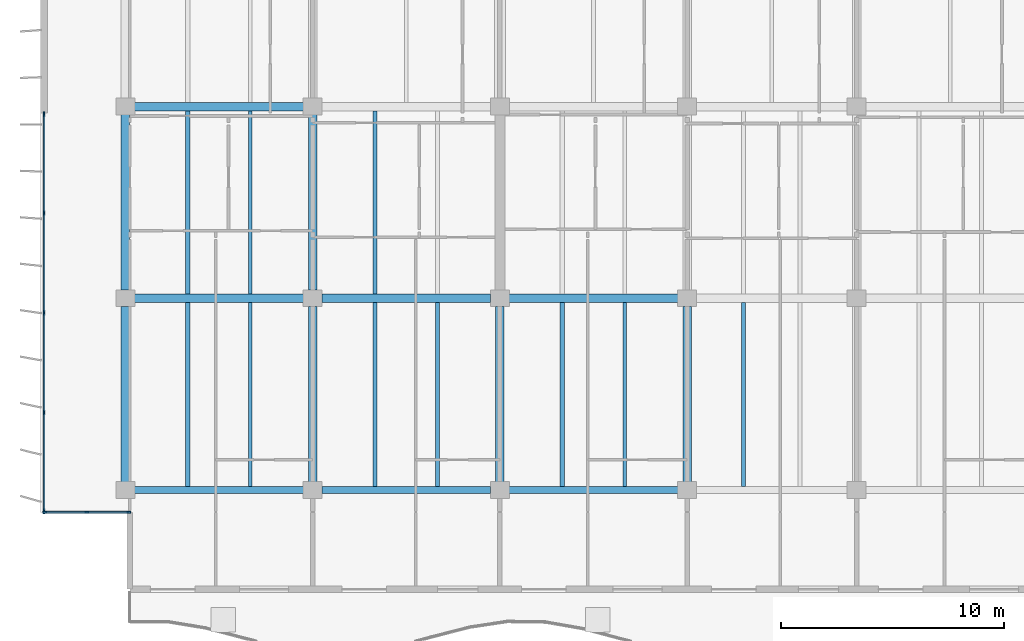
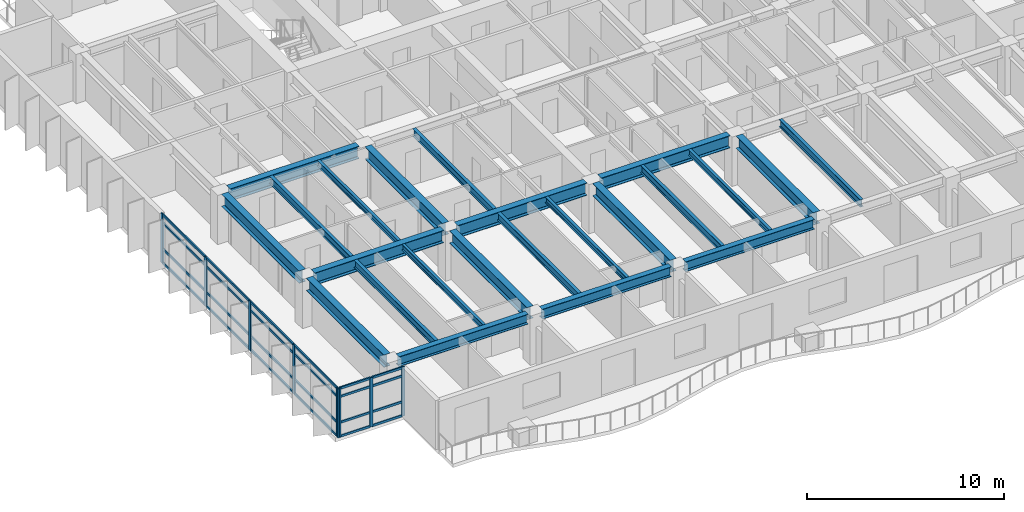
# One storey, part 2 of 19: 32 members, 23 beams, 2 elements without a shape of their own.
"""IFC4 building model written with IfcOpenShell, lengths in metres."""

from ifc_helpers import new_model, si_unit, direction, frame, origin, origin_2d, place, context, subcontext, project, spatial, rectangle, i_section, extrude, material, layer, layer_set, material_profile, profile_set, type_object, element, aggregate, save


model = new_model("IFC4")

# Units and contexts
model_context = context("Model", 3, precision=1e-05, world=origin(), true_north=direction((0.0, 1.0)))
body_context = subcontext(model_context, "Body", "Model", "MODEL_VIEW")
ifc_project = project(units=[si_unit("LENGTHUNIT", "METRE"), si_unit("AREAUNIT", "SQUARE_METRE"), si_unit("VOLUMEUNIT", "CUBIC_METRE"), si_unit("PLANEANGLEUNIT", "RADIAN"), si_unit("MASSUNIT", "GRAM", prefix="KILO")], contexts=[model_context])

# Site, building, storey
site_placement = place(None, origin())
site = spatial("IfcSite", under=ifc_project, at=site_placement, CompositionType="ELEMENT")
building_placement = place(site_placement, origin())
building = spatial("IfcBuilding", under=site, at=building_placement, Name="Caelmar Bay Residences", CompositionType="ELEMENT")
storey_placement = place(building_placement, frame((0.0, 0.0, 214.800048828125)))
storey = spatial("IfcBuildingStorey", under=building, at=storey_placement, Name="L60", CompositionType="ELEMENT", Elevation=214.800048828125)

# Beams
ifc_material_1 = material(Name="Steel ASTM A992 Grade 50", Category="steel")
ifc_material_profile_1 = material_profile(ifc_material_1, i_section(OverallWidth=0.381103515625, OverallDepth=0.77197265625, WebThickness=0.0166015625, FlangeThickness=0.027099609375, FilletRadius=0.0166015625, at=origin_2d()), Name="W30X173")
ifc_profile_set_1 = profile_set([ifc_material_profile_1], Name="Steel ASTM A992 Grade 50")
beam_type_1 = type_object("IfcBeamType", Name="BM-GRD-W30X173", PredefinedType="BEAM", material=ifc_profile_set_1)
beam_1_placement = place(storey_placement, frame((10.31494140625, 20.800048828125, 2.6640625), z_axis=(1.0, 0.0, 0.0), x_axis=(0.0, 1.0, 0.0)))
element("IfcBeam", 1, at=beam_1_placement, inside=storey, type_object=beam_type_1, Name="L60 East-West Girder Y=20.80 (9.9-18.3)", PredefinedType="BEAM", context=body_context, shape_type="SweptSolid", body=[
    extrude(i_section(OverallWidth=0.381103515625, OverallDepth=0.77197265625, WebThickness=0.0166015625, FlangeThickness=0.027099609375, FilletRadius=0.0166015625, at=origin_2d()), origin(), (0.0, 0.0, 1.0), 7.570068359375),
])
beam_2_placement = place(storey_placement, frame((18.715087890625, 20.800048828125, 2.6640625), z_axis=(1.0, 0.0, 0.0), x_axis=(0.0, 1.0, 0.0)))
element("IfcBeam", 2, at=beam_2_placement, inside=storey, type_object=beam_type_1, Name="L60 East-West Girder Y=20.80 (18.3-26.7)", PredefinedType="BEAM", context=body_context, shape_type="SweptSolid", body=[
    extrude(i_section(OverallWidth=0.381103515625, OverallDepth=0.77197265625, WebThickness=0.0166015625, FlangeThickness=0.027099609375, FilletRadius=0.0166015625, at=origin_2d()), origin(), (0.0, 0.0, 1.0), 7.56982421875),
])
for number, where, z_axis, x_axis, name in (
    (3, (27.114990234375, 20.800048828125, 2.6640625), (1.0, 0.0, 0.0), (0.0, 1.0, 0.0), "L60 East-West Girder Y=20.80 (26.7-35.1)"),
    (4, (10.31494140625, 29.39990234375, 2.6640625), (1.0, 0.0, 0.0), (0.0, 1.0, 0.0), "L60 East-West Girder Y=29.40 (9.9-18.3)"),
):
    element("IfcBeam", number, at=place(storey_placement, frame(where, z_axis=z_axis, x_axis=x_axis)), inside=storey, type_object=beam_type_1, Name=name, PredefinedType="BEAM", context=body_context, shape_type="SweptSolid", body=[
        extrude(i_section(OverallWidth=0.381103515625, OverallDepth=0.77197265625, WebThickness=0.0166015625, FlangeThickness=0.027099609375, FilletRadius=0.0166015625, at=origin_2d()), origin(), (0.0, 0.0, 1.0), 7.570068359375),
    ])
beam_3_placement = place(storey_placement, frame((9.89990234375, 12.56494140625, 2.6640625), z_axis=(0.0, 1.0, 0.0), x_axis=(-1.0, 0.0, 0.0)))
element("IfcBeam", 5, at=beam_3_placement, inside=storey, type_object=beam_type_1, Name="L60 North-South Girder X=9.90 (12.2-20.8)", PredefinedType="BEAM", context=body_context, shape_type="SweptSolid", body=[
    extrude(i_section(OverallWidth=0.381103515625, OverallDepth=0.77197265625, WebThickness=0.0166015625, FlangeThickness=0.027099609375, FilletRadius=0.0166015625, at=origin_2d()), origin(), (0.0, 0.0, 1.0), 7.8701171875),
])
beam_4_placement = place(storey_placement, frame((9.89990234375, 21.1650390625, 2.6640625), z_axis=(0.0, 1.0, 0.0), x_axis=(-1.0, 0.0, 0.0)))
element("IfcBeam", 6, at=beam_4_placement, inside=storey, type_object=beam_type_1, Name="L60 North-South Girder X=9.90 (20.8-29.4)", PredefinedType="BEAM", context=body_context, shape_type="SweptSolid", body=[
    extrude(i_section(OverallWidth=0.381103515625, OverallDepth=0.77197265625, WebThickness=0.0166015625, FlangeThickness=0.027099609375, FilletRadius=0.0166015625, at=origin_2d()), origin(), (0.0, 0.0, 1.0), 7.869873046875),
])
beam_5_placement = place(storey_placement, frame((18.300048828125, 12.56494140625, 2.6640625), z_axis=(0.0, 1.0, 0.0), x_axis=(-1.0, 0.0, 0.0)))
element("IfcBeam", 7, at=beam_5_placement, inside=storey, type_object=beam_type_1, Name="L60 North-South Girder X=18.30 (12.2-20.8)", PredefinedType="BEAM", context=body_context, shape_type="SweptSolid", body=[
    extrude(i_section(OverallWidth=0.381103515625, OverallDepth=0.77197265625, WebThickness=0.0166015625, FlangeThickness=0.027099609375, FilletRadius=0.0166015625, at=origin_2d()), origin(), (0.0, 0.0, 1.0), 7.8701171875),
])
beam_6_placement = place(storey_placement, frame((18.300048828125, 21.1650390625, 2.6640625), z_axis=(0.0, 1.0, 0.0), x_axis=(-1.0, 0.0, 0.0)))
element("IfcBeam", 8, at=beam_6_placement, inside=storey, type_object=beam_type_1, Name="L60 North-South Girder X=18.30 (20.8-29.4)", PredefinedType="BEAM", context=body_context, shape_type="SweptSolid", body=[
    extrude(i_section(OverallWidth=0.381103515625, OverallDepth=0.77197265625, WebThickness=0.0166015625, FlangeThickness=0.027099609375, FilletRadius=0.0166015625, at=origin_2d()), origin(), (0.0, 0.0, 1.0), 7.869873046875),
])
for number, where, z_axis, x_axis, name in (
    (9, (26.699951171875, 12.56494140625, 2.6640625), (0.0, 1.0, 0.0), (-1.0, 0.0, 0.0), "L60 North-South Girder X=26.70 (12.2-20.8)"),
    (10, (35.10009765625, 12.56494140625, 2.6640625), (0.0, 1.0, 0.0), (-1.0, 0.0, 0.0), "L60 North-South Girder X=35.10 (12.2-20.8)"),
):
    element("IfcBeam", number, at=place(storey_placement, frame(where, z_axis=z_axis, x_axis=x_axis)), inside=storey, type_object=beam_type_1, Name=name, PredefinedType="BEAM", context=body_context, shape_type="SweptSolid", body=[
        extrude(i_section(OverallWidth=0.381103515625, OverallDepth=0.77197265625, WebThickness=0.0166015625, FlangeThickness=0.027099609375, FilletRadius=0.0166015625, at=origin_2d()), origin(), (0.0, 0.0, 1.0), 7.8701171875),
    ])
ifc_material_profile_2 = material_profile(ifc_material_1, i_section(OverallWidth=0.1708984375, OverallDepth=0.35595703125, WebThickness=0.007080078125, FlangeThickness=0.01171875, FilletRadius=0.007568359375, at=origin_2d()), Name="W14X34")
ifc_profile_set_2 = profile_set([ifc_material_profile_2], Name="Steel ASTM A992 Grade 50")
beam_type_2 = type_object("IfcBeamType", Name="BM-JST-W14X34", PredefinedType="JOIST", material=ifc_profile_set_2)
for number, where, z_axis, x_axis, name in (
    (11, (15.5, 12.362548828125, 2.8720703125), (0.0, 1.0, 0.0), (-1.0, 0.0, 0.0), "L60 Composite Floor Joist 2"),
    (12, (23.89990234375, 12.362548828125, 2.8720703125), (0.0, 1.0, 0.0), (-1.0, 0.0, 0.0), "L60 Composite Floor Joist 4"),
    (13, (32.300048828125, 12.362548828125, 2.8720703125), (0.0, 1.0, 0.0), (-1.0, 0.0, 0.0), "L60 Composite Floor Joist 6"),
):
    element("IfcBeam", number, at=place(storey_placement, frame(where, z_axis=z_axis, x_axis=x_axis)), inside=storey, type_object=beam_type_2, Name=name, PredefinedType="JOIST", context=body_context, shape_type="SweptSolid", body=[
        extrude(i_section(OverallWidth=0.1708984375, OverallDepth=0.35595703125, WebThickness=0.007080078125, FlangeThickness=0.01171875, FilletRadius=0.007568359375, at=origin_2d()), origin(), (0.0, 0.0, 1.0), 8.2470703125),
    ])
beam_7_placement = place(storey_placement, frame((15.5, 20.990478515625, 2.8720703125), z_axis=(0.0, 1.0, 0.0), x_axis=(-1.0, 0.0, 0.0)))
element("IfcBeam", 14, at=beam_7_placement, inside=storey, type_object=beam_type_2, Name="L60 Composite Floor Joist 16", PredefinedType="JOIST", context=body_context, shape_type="SweptSolid", body=[
    extrude(i_section(OverallWidth=0.1708984375, OverallDepth=0.35595703125, WebThickness=0.007080078125, FlangeThickness=0.01171875, FilletRadius=0.007568359375, at=origin_2d()), origin(), (0.0, 0.0, 1.0), 8.218994140625),
])
ifc_material_profile_3 = material_profile(ifc_material_1, i_section(OverallWidth=0.19091796875, OverallDepth=0.45703125, WebThickness=0.009033203125, FlangeThickness=0.014404296875, FilletRadius=0.01025390625, at=origin_2d()), Name="W18X50")
ifc_profile_set_3 = profile_set([ifc_material_profile_3], Name="Steel ASTM A992 Grade 50")
beam_type_3 = type_object("IfcBeamType", Name="BM-JST-W18X50", PredefinedType="JOIST", material=ifc_profile_set_3)
for number, where, z_axis, x_axis, name in (
    (15, (12.699951171875, 12.362548828125, 2.821533203125), (0.0, 1.0, 0.0), (-1.0, 0.0, 0.0), "L60 Composite Floor Joist 1"),
    (16, (21.10009765625, 12.362548828125, 2.821533203125), (0.0, 1.0, 0.0), (-1.0, 0.0, 0.0), "L60 Composite Floor Joist 3"),
    (17, (29.5, 12.362548828125, 2.821533203125), (0.0, 1.0, 0.0), (-1.0, 0.0, 0.0), "L60 Composite Floor Joist 5"),
    (18, (37.63330078125, 12.362548828125, 2.821533203125), (0.0, 1.0, 0.0), (-1.0, 0.0, 0.0), "L60 Composite Floor Joist 7"),
):
    element("IfcBeam", number, at=place(storey_placement, frame(where, z_axis=z_axis, x_axis=x_axis)), inside=storey, type_object=beam_type_3, Name=name, PredefinedType="JOIST", context=body_context, shape_type="SweptSolid", body=[
        extrude(i_section(OverallWidth=0.19091796875, OverallDepth=0.45703125, WebThickness=0.009033203125, FlangeThickness=0.014404296875, FilletRadius=0.01025390625, at=origin_2d()), origin(), (0.0, 0.0, 1.0), 8.2470703125),
    ])
for number, where, z_axis, x_axis, name in (
    (19, (12.699951171875, 20.990478515625, 2.821533203125), (0.0, 1.0, 0.0), (-1.0, 0.0, 0.0), "L60 Composite Floor Joist 15"),
    (20, (21.10009765625, 20.990478515625, 2.821533203125), (0.0, 1.0, 0.0), (-1.0, 0.0, 0.0), "L60 Composite Floor Joist 17"),
):
    element("IfcBeam", number, at=place(storey_placement, frame(where, z_axis=z_axis, x_axis=x_axis)), inside=storey, type_object=beam_type_3, Name=name, PredefinedType="JOIST", context=body_context, shape_type="SweptSolid", body=[
        extrude(i_section(OverallWidth=0.19091796875, OverallDepth=0.45703125, WebThickness=0.009033203125, FlangeThickness=0.014404296875, FilletRadius=0.01025390625, at=origin_2d()), origin(), (0.0, 0.0, 1.0), 8.218994140625),
    ])
ifc_material_profile_4 = material_profile(ifc_material_1, i_section(OverallWidth=0.324951171875, OverallDepth=0.616943359375, WebThickness=0.013916015625, FlangeThickness=0.021484375, FilletRadius=0.0126953125, at=origin_2d()), Name="W24X117")
ifc_profile_set_4 = profile_set([ifc_material_profile_4], Name="Steel ASTM A992 Grade 50")
beam_type_4 = type_object("IfcBeamType", Name="BM-SPN-W24X117", PredefinedType="SPANDREL", material=ifc_profile_set_4)
beam_8_placement = place(storey_placement, frame((10.31494140625, 12.199951171875, 2.741455078125), z_axis=(1.0, 0.0, 0.0), x_axis=(0.0, 1.0, 0.0)))
element("IfcBeam", 21, at=beam_8_placement, inside=storey, type_object=beam_type_4, Name="L60 East-West Girder Y=12.20 (9.9-18.3)", PredefinedType="SPANDREL", context=body_context, shape_type="SweptSolid", body=[
    extrude(i_section(OverallWidth=0.324951171875, OverallDepth=0.616943359375, WebThickness=0.013916015625, FlangeThickness=0.021484375, FilletRadius=0.0126953125, at=origin_2d()), origin(), (0.0, 0.0, 1.0), 7.570068359375),
])
beam_9_placement = place(storey_placement, frame((18.715087890625, 12.199951171875, 2.741455078125), z_axis=(1.0, 0.0, 0.0), x_axis=(0.0, 1.0, 0.0)))
element("IfcBeam", 22, at=beam_9_placement, inside=storey, type_object=beam_type_4, Name="L60 East-West Girder Y=12.20 (18.3-26.7)", PredefinedType="SPANDREL", context=body_context, shape_type="SweptSolid", body=[
    extrude(i_section(OverallWidth=0.324951171875, OverallDepth=0.616943359375, WebThickness=0.013916015625, FlangeThickness=0.021484375, FilletRadius=0.0126953125, at=origin_2d()), origin(), (0.0, 0.0, 1.0), 7.56982421875),
])
beam_10_placement = place(storey_placement, frame((27.114990234375, 12.199951171875, 2.741455078125), z_axis=(1.0, 0.0, 0.0), x_axis=(0.0, 1.0, 0.0)))
element("IfcBeam", 23, at=beam_10_placement, inside=storey, type_object=beam_type_4, Name="L60 East-West Girder Y=12.20 (26.7-35.1)", PredefinedType="SPANDREL", context=body_context, shape_type="SweptSolid", body=[
    extrude(i_section(OverallWidth=0.324951171875, OverallDepth=0.616943359375, WebThickness=0.013916015625, FlangeThickness=0.021484375, FilletRadius=0.0126953125, at=origin_2d()), origin(), (0.0, 0.0, 1.0), 7.570068359375),
])

# Curtain wall, members
ifc_material_2 = material(Name="Anodised bronze aluminium 6063-T6 and laminated glass", Category="aluminium")
ifc_layer_1 = layer(ifc_material_2, 0.179931640625)
ifc_layer_set_1 = layer_set([ifc_layer_1], Name="Anodised bronze aluminium 6063-T6 and laminated glass")
curtain_wall_type_1 = type_object("IfcCurtainWallType", Name="CW6-NTC", PredefinedType="NOTDEFINED", material=ifc_layer_set_1)
curtain_wall_1_placement = place(storey_placement, origin())
curtain_wall_1 = element("IfcCurtainWall", 24, at=curtain_wall_1_placement, inside=storey, type_object=curtain_wall_type_1, Name="CW6 curtain wall L60", PredefinedType="NOTDEFINED")
ifc_material_3 = material(Name="Anodised bronze aluminium 6063-T6", Category="aluminium")
ifc_material_profile_5 = material_profile(ifc_material_3, rectangle(XDim=0.080078125, YDim=0.179931640625, at=origin_2d()), Name="CWM-80X180")
ifc_profile_set_5 = profile_set([ifc_material_profile_5], Name="Anodised bronze aluminium 6063-T6")
member_type_1 = type_object("IfcMemberType", Name="CWM-180", PredefinedType="MULLION", material=ifc_profile_set_5)
member_1_placement = place(storey_placement, frame((6.2900390625, 11.199951171875, 0.0), z_axis=(0.0, 0.0, 1.0), x_axis=(0.0, 1.0, 0.0)))
member_1 = element("IfcMember", 25, at=member_1_placement, type_object=member_type_1, Name="CW6 mullion 1", PredefinedType="MULLION", context=body_context, shape_type="SweptSolid", body=[
    extrude(rectangle(XDim=0.080078125, YDim=0.179931640625, at=origin_2d()), origin(), (0.0, 0.0, 1.0), 3.050048828125),
])
member_2_placement = place(storey_placement, frame((8.175048828125, 11.199951171875, 0.0), z_axis=(0.0, 0.0, 1.0), x_axis=(0.0, 1.0, 0.0)))
member_2 = element("IfcMember", 26, at=member_2_placement, type_object=member_type_1, Name="CW6 mullion 2", PredefinedType="MULLION", context=body_context, shape_type="SweptSolid", body=[
    extrude(rectangle(XDim=0.080078125, YDim=0.179931640625, at=origin_2d()), origin(), (0.0, 0.0, 1.0), 3.050048828125),
])
member_3_placement = place(storey_placement, frame((10.06005859375, 11.199951171875, 0.0), z_axis=(0.0, 0.0, 1.0), x_axis=(0.0, 1.0, 0.0)))
member_3 = element("IfcMember", 27, at=member_3_placement, type_object=member_type_1, Name="CW6 mullion 3", PredefinedType="MULLION", context=body_context, shape_type="SweptSolid", body=[
    extrude(rectangle(XDim=0.080078125, YDim=0.179931640625, at=origin_2d()), origin(), (0.0, 0.0, 1.0), 3.050048828125),
])

ifc_layer_2 = layer(ifc_material_2, 0.179931640625)
ifc_layer_set_2 = layer_set([ifc_layer_2], Name="Anodised bronze aluminium 6063-T6 and laminated glass")
curtain_wall_type_2 = type_object("IfcCurtainWallType", Name="CW4-Z3", PredefinedType="NOTDEFINED", material=ifc_layer_set_2)
curtain_wall_2_placement = place(storey_placement, origin())
curtain_wall_2 = element("IfcCurtainWall", 28, at=curtain_wall_2_placement, inside=storey, type_object=curtain_wall_type_2, Name="CW4 curtain wall L60", PredefinedType="NOTDEFINED")
ifc_material_profile_6 = material_profile(ifc_material_3, rectangle(XDim=0.080078125, YDim=0.219970703125, at=origin_2d()), Name="CWM-80X220")
ifc_profile_set_6 = profile_set([ifc_material_profile_6], Name="Anodised bronze aluminium 6063-T6")
member_type_2 = type_object("IfcMemberType", Name="CWM-220", PredefinedType="MULLION", material=ifc_profile_set_6)
member_4_placement = place(storey_placement, frame((6.25, 11.239990234375, 0.0), z_axis=(0.0, 0.0, 1.0), x_axis=(-1.0, 0.0, 0.0)))
member_4 = element("IfcMember", 29, at=member_4_placement, type_object=member_type_2, Name="CW4 mullion 1", PredefinedType="MULLION", context=body_context, shape_type="SweptSolid", body=[
    extrude(rectangle(XDim=0.080078125, YDim=0.219970703125, at=origin_2d()), origin(), (0.0, 0.0, 1.0), 3.050048828125),
])
member_5_placement = place(storey_placement, frame((6.25, 15.675048828125, 0.0), z_axis=(0.0, 0.0, 1.0), x_axis=(-1.0, 0.0, 0.0)))
member_5 = element("IfcMember", 30, at=member_5_placement, type_object=member_type_2, Name="CW4 mullion 2", PredefinedType="MULLION", context=body_context, shape_type="SweptSolid", body=[
    extrude(rectangle(XDim=0.080078125, YDim=0.219970703125, at=origin_2d()), origin(), (0.0, 0.0, 1.0), 3.050048828125),
])
member_6_placement = place(storey_placement, frame((6.25, 20.14990234375, 0.0), z_axis=(0.0, 0.0, 1.0), x_axis=(-1.0, 0.0, 0.0)))
member_6 = element("IfcMember", 31, at=member_6_placement, type_object=member_type_2, Name="CW4 mullion 3", PredefinedType="MULLION", context=body_context, shape_type="SweptSolid", body=[
    extrude(rectangle(XDim=0.080078125, YDim=0.219970703125, at=origin_2d()), origin(), (0.0, 0.0, 1.0), 3.050048828125),
])
member_7_placement = place(storey_placement, frame((6.25, 24.625, 0.0), z_axis=(0.0, 0.0, 1.0), x_axis=(-1.0, 0.0, 0.0)))
member_7 = element("IfcMember", 32, at=member_7_placement, type_object=member_type_2, Name="CW4 mullion 4", PredefinedType="MULLION", context=body_context, shape_type="SweptSolid", body=[
    extrude(rectangle(XDim=0.080078125, YDim=0.219970703125, at=origin_2d()), origin(), (0.0, 0.0, 1.0), 3.050048828125),
])
member_8_placement = place(storey_placement, frame((6.25, 29.06005859375, 0.0), z_axis=(0.0, 0.0, 1.0), x_axis=(-1.0, 0.0, 0.0)))
member_8 = element("IfcMember", 33, at=member_8_placement, type_object=member_type_2, Name="CW4 mullion 5", PredefinedType="MULLION", context=body_context, shape_type="SweptSolid", body=[
    extrude(rectangle(XDim=0.080078125, YDim=0.219970703125, at=origin_2d()), origin(), (0.0, 0.0, 1.0), 3.050048828125),
])

# Member
ifc_material_profile_7 = material_profile(ifc_material_3, rectangle(XDim=0.080078125, YDim=0.139892578125, at=origin_2d()), Name="CWT-80X140")
ifc_profile_set_7 = profile_set([ifc_material_profile_7], Name="Anodised bronze aluminium 6063-T6")
member_type_3 = type_object("IfcMemberType", Name="CWT-140", PredefinedType="NOTDEFINED", material=ifc_profile_set_7)
member_9_placement = place(storey_placement, frame((6.330078125, 11.199951171875, 0.0400390625), z_axis=(1.0, 0.0, 0.0), x_axis=(0.0, 1.0, 0.0)))
member_9 = element("IfcMember", 34, at=member_9_placement, type_object=member_type_3, Name="CW6 transom 1.1", ObjectType="TRANSOM", PredefinedType="USERDEFINED", context=body_context, shape_type="SweptSolid", body=[
    extrude(rectangle(XDim=0.080078125, YDim=0.139892578125, at=origin_2d()), origin(), (0.0, 0.0, 1.0), 1.804931640625),
])

member_10_placement = place(storey_placement, frame((6.330078125, 11.199951171875, 0.89990234375), z_axis=(1.0, 0.0, 0.0), x_axis=(0.0, 1.0, 0.0)))
member_10 = element("IfcMember", 35, at=member_10_placement, type_object=member_type_3, Name="CW6 transom 1.2", ObjectType="TRANSOM", PredefinedType="USERDEFINED", context=body_context, shape_type="SweptSolid", body=[
    extrude(rectangle(XDim=0.080078125, YDim=0.139892578125, at=origin_2d()), origin(), (0.0, 0.0, 1.0), 1.804931640625),
])

member_11_placement = place(storey_placement, frame((6.330078125, 11.199951171875, 2.5), z_axis=(1.0, 0.0, 0.0), x_axis=(0.0, 1.0, 0.0)))
member_11 = element("IfcMember", 36, at=member_11_placement, type_object=member_type_3, Name="CW6 transom 1.3", ObjectType="TRANSOM", PredefinedType="USERDEFINED", context=body_context, shape_type="SweptSolid", body=[
    extrude(rectangle(XDim=0.080078125, YDim=0.139892578125, at=origin_2d()), origin(), (0.0, 0.0, 1.0), 1.804931640625),
])

member_12_placement = place(storey_placement, frame((6.330078125, 11.199951171875, 3.010009765625), z_axis=(1.0, 0.0, 0.0), x_axis=(0.0, 1.0, 0.0)))
member_12 = element("IfcMember", 37, at=member_12_placement, type_object=member_type_3, Name="CW6 transom 1.4", ObjectType="TRANSOM", PredefinedType="USERDEFINED", context=body_context, shape_type="SweptSolid", body=[
    extrude(rectangle(XDim=0.080078125, YDim=0.139892578125, at=origin_2d()), origin(), (0.0, 0.0, 1.0), 1.804931640625),
])

member_13_placement = place(storey_placement, frame((8.215087890625, 11.199951171875, 0.0400390625), z_axis=(1.0, 0.0, 0.0), x_axis=(0.0, 1.0, 0.0)))
member_13 = element("IfcMember", 38, at=member_13_placement, type_object=member_type_3, Name="CW6 transom 2.1", ObjectType="TRANSOM", PredefinedType="USERDEFINED", context=body_context, shape_type="SweptSolid", body=[
    extrude(rectangle(XDim=0.080078125, YDim=0.139892578125, at=origin_2d()), origin(), (0.0, 0.0, 1.0), 1.804931640625),
])

member_14_placement = place(storey_placement, frame((8.215087890625, 11.199951171875, 0.89990234375), z_axis=(1.0, 0.0, 0.0), x_axis=(0.0, 1.0, 0.0)))
member_14 = element("IfcMember", 39, at=member_14_placement, type_object=member_type_3, Name="CW6 transom 2.2", ObjectType="TRANSOM", PredefinedType="USERDEFINED", context=body_context, shape_type="SweptSolid", body=[
    extrude(rectangle(XDim=0.080078125, YDim=0.139892578125, at=origin_2d()), origin(), (0.0, 0.0, 1.0), 1.804931640625),
])

member_15_placement = place(storey_placement, frame((8.215087890625, 11.199951171875, 2.5), z_axis=(1.0, 0.0, 0.0), x_axis=(0.0, 1.0, 0.0)))
member_15 = element("IfcMember", 40, at=member_15_placement, type_object=member_type_3, Name="CW6 transom 2.3", ObjectType="TRANSOM", PredefinedType="USERDEFINED", context=body_context, shape_type="SweptSolid", body=[
    extrude(rectangle(XDim=0.080078125, YDim=0.139892578125, at=origin_2d()), origin(), (0.0, 0.0, 1.0), 1.804931640625),
])

member_16_placement = place(storey_placement, frame((8.215087890625, 11.199951171875, 3.010009765625), z_axis=(1.0, 0.0, 0.0), x_axis=(0.0, 1.0, 0.0)))
member_16 = element("IfcMember", 41, at=member_16_placement, type_object=member_type_3, Name="CW6 transom 2.4", ObjectType="TRANSOM", PredefinedType="USERDEFINED", context=body_context, shape_type="SweptSolid", body=[
    extrude(rectangle(XDim=0.080078125, YDim=0.139892578125, at=origin_2d()), origin(), (0.0, 0.0, 1.0), 1.804931640625),
])

aggregate(curtain_wall_1, [member_1, member_2, member_3, member_9, member_10, member_11, member_12, member_13, member_14, member_15, member_16])

member_17_placement = place(storey_placement, frame((6.25, 11.280029296875, 0.0400390625), z_axis=(0.0, 1.0, 0.0), x_axis=(-1.0, 0.0, 0.0)))
member_17 = element("IfcMember", 42, at=member_17_placement, type_object=member_type_3, Name="CW4 transom 1.1", ObjectType="TRANSOM", PredefinedType="USERDEFINED", context=body_context, shape_type="SweptSolid", body=[
    extrude(rectangle(XDim=0.080078125, YDim=0.139892578125, at=origin_2d()), origin(), (0.0, 0.0, 1.0), 4.35498046875),
])

member_18_placement = place(storey_placement, frame((6.25, 11.280029296875, 0.89990234375), z_axis=(0.0, 1.0, 0.0), x_axis=(-1.0, 0.0, 0.0)))
member_18 = element("IfcMember", 43, at=member_18_placement, type_object=member_type_3, Name="CW4 transom 1.2", ObjectType="TRANSOM", PredefinedType="USERDEFINED", context=body_context, shape_type="SweptSolid", body=[
    extrude(rectangle(XDim=0.080078125, YDim=0.139892578125, at=origin_2d()), origin(), (0.0, 0.0, 1.0), 4.35498046875),
])

member_19_placement = place(storey_placement, frame((6.25, 11.280029296875, 2.5), z_axis=(0.0, 1.0, 0.0), x_axis=(-1.0, 0.0, 0.0)))
member_19 = element("IfcMember", 44, at=member_19_placement, type_object=member_type_3, Name="CW4 transom 1.3", ObjectType="TRANSOM", PredefinedType="USERDEFINED", context=body_context, shape_type="SweptSolid", body=[
    extrude(rectangle(XDim=0.080078125, YDim=0.139892578125, at=origin_2d()), origin(), (0.0, 0.0, 1.0), 4.35498046875),
])

member_20_placement = place(storey_placement, frame((6.25, 11.280029296875, 3.010009765625), z_axis=(0.0, 1.0, 0.0), x_axis=(-1.0, 0.0, 0.0)))
member_20 = element("IfcMember", 45, at=member_20_placement, type_object=member_type_3, Name="CW4 transom 1.4", ObjectType="TRANSOM", PredefinedType="USERDEFINED", context=body_context, shape_type="SweptSolid", body=[
    extrude(rectangle(XDim=0.080078125, YDim=0.139892578125, at=origin_2d()), origin(), (0.0, 0.0, 1.0), 4.35498046875),
])

member_21_placement = place(storey_placement, frame((6.25, 15.715087890625, 0.0400390625), z_axis=(0.0, 1.0, 0.0), x_axis=(-1.0, 0.0, 0.0)))
member_21 = element("IfcMember", 46, at=member_21_placement, type_object=member_type_3, Name="CW4 transom 2.1", ObjectType="TRANSOM", PredefinedType="USERDEFINED", context=body_context, shape_type="SweptSolid", body=[
    extrude(rectangle(XDim=0.080078125, YDim=0.139892578125, at=origin_2d()), origin(), (0.0, 0.0, 1.0), 4.39501953125),
])

member_22_placement = place(storey_placement, frame((6.25, 15.715087890625, 0.89990234375), z_axis=(0.0, 1.0, 0.0), x_axis=(-1.0, 0.0, 0.0)))
member_22 = element("IfcMember", 47, at=member_22_placement, type_object=member_type_3, Name="CW4 transom 2.2", ObjectType="TRANSOM", PredefinedType="USERDEFINED", context=body_context, shape_type="SweptSolid", body=[
    extrude(rectangle(XDim=0.080078125, YDim=0.139892578125, at=origin_2d()), origin(), (0.0, 0.0, 1.0), 4.39501953125),
])

member_23_placement = place(storey_placement, frame((6.25, 15.715087890625, 2.5), z_axis=(0.0, 1.0, 0.0), x_axis=(-1.0, 0.0, 0.0)))
member_23 = element("IfcMember", 48, at=member_23_placement, type_object=member_type_3, Name="CW4 transom 2.3", ObjectType="TRANSOM", PredefinedType="USERDEFINED", context=body_context, shape_type="SweptSolid", body=[
    extrude(rectangle(XDim=0.080078125, YDim=0.139892578125, at=origin_2d()), origin(), (0.0, 0.0, 1.0), 4.39501953125),
])

member_24_placement = place(storey_placement, frame((6.25, 15.715087890625, 3.010009765625), z_axis=(0.0, 1.0, 0.0), x_axis=(-1.0, 0.0, 0.0)))
member_24 = element("IfcMember", 49, at=member_24_placement, type_object=member_type_3, Name="CW4 transom 2.4", ObjectType="TRANSOM", PredefinedType="USERDEFINED", context=body_context, shape_type="SweptSolid", body=[
    extrude(rectangle(XDim=0.080078125, YDim=0.139892578125, at=origin_2d()), origin(), (0.0, 0.0, 1.0), 4.39501953125),
])

member_25_placement = place(storey_placement, frame((6.25, 20.18994140625, 0.0400390625), z_axis=(0.0, 1.0, 0.0), x_axis=(-1.0, 0.0, 0.0)))
member_25 = element("IfcMember", 50, at=member_25_placement, type_object=member_type_3, Name="CW4 transom 3.1", ObjectType="TRANSOM", PredefinedType="USERDEFINED", context=body_context, shape_type="SweptSolid", body=[
    extrude(rectangle(XDim=0.080078125, YDim=0.139892578125, at=origin_2d()), origin(), (0.0, 0.0, 1.0), 4.39501953125),
])

member_26_placement = place(storey_placement, frame((6.25, 20.18994140625, 0.89990234375), z_axis=(0.0, 1.0, 0.0), x_axis=(-1.0, 0.0, 0.0)))
member_26 = element("IfcMember", 51, at=member_26_placement, type_object=member_type_3, Name="CW4 transom 3.2", ObjectType="TRANSOM", PredefinedType="USERDEFINED", context=body_context, shape_type="SweptSolid", body=[
    extrude(rectangle(XDim=0.080078125, YDim=0.139892578125, at=origin_2d()), origin(), (0.0, 0.0, 1.0), 4.39501953125),
])

member_27_placement = place(storey_placement, frame((6.25, 20.18994140625, 2.5), z_axis=(0.0, 1.0, 0.0), x_axis=(-1.0, 0.0, 0.0)))
member_27 = element("IfcMember", 52, at=member_27_placement, type_object=member_type_3, Name="CW4 transom 3.3", ObjectType="TRANSOM", PredefinedType="USERDEFINED", context=body_context, shape_type="SweptSolid", body=[
    extrude(rectangle(XDim=0.080078125, YDim=0.139892578125, at=origin_2d()), origin(), (0.0, 0.0, 1.0), 4.39501953125),
])

member_28_placement = place(storey_placement, frame((6.25, 20.18994140625, 3.010009765625), z_axis=(0.0, 1.0, 0.0), x_axis=(-1.0, 0.0, 0.0)))
member_28 = element("IfcMember", 53, at=member_28_placement, type_object=member_type_3, Name="CW4 transom 3.4", ObjectType="TRANSOM", PredefinedType="USERDEFINED", context=body_context, shape_type="SweptSolid", body=[
    extrude(rectangle(XDim=0.080078125, YDim=0.139892578125, at=origin_2d()), origin(), (0.0, 0.0, 1.0), 4.39501953125),
])

member_29_placement = place(storey_placement, frame((6.25, 24.6650390625, 0.0400390625), z_axis=(0.0, 1.0, 0.0), x_axis=(-1.0, 0.0, 0.0)))
member_29 = element("IfcMember", 54, at=member_29_placement, type_object=member_type_3, Name="CW4 transom 4.1", ObjectType="TRANSOM", PredefinedType="USERDEFINED", context=body_context, shape_type="SweptSolid", body=[
    extrude(rectangle(XDim=0.080078125, YDim=0.139892578125, at=origin_2d()), origin(), (0.0, 0.0, 1.0), 4.35498046875),
])

member_30_placement = place(storey_placement, frame((6.25, 24.6650390625, 0.89990234375), z_axis=(0.0, 1.0, 0.0), x_axis=(-1.0, 0.0, 0.0)))
member_30 = element("IfcMember", 55, at=member_30_placement, type_object=member_type_3, Name="CW4 transom 4.2", ObjectType="TRANSOM", PredefinedType="USERDEFINED", context=body_context, shape_type="SweptSolid", body=[
    extrude(rectangle(XDim=0.080078125, YDim=0.139892578125, at=origin_2d()), origin(), (0.0, 0.0, 1.0), 4.35498046875),
])

member_31_placement = place(storey_placement, frame((6.25, 24.6650390625, 2.5), z_axis=(0.0, 1.0, 0.0), x_axis=(-1.0, 0.0, 0.0)))
member_31 = element("IfcMember", 56, at=member_31_placement, type_object=member_type_3, Name="CW4 transom 4.3", ObjectType="TRANSOM", PredefinedType="USERDEFINED", context=body_context, shape_type="SweptSolid", body=[
    extrude(rectangle(XDim=0.080078125, YDim=0.139892578125, at=origin_2d()), origin(), (0.0, 0.0, 1.0), 4.35498046875),
])

member_32_placement = place(storey_placement, frame((6.25, 24.6650390625, 3.010009765625), z_axis=(0.0, 1.0, 0.0), x_axis=(-1.0, 0.0, 0.0)))
member_32 = element("IfcMember", 57, at=member_32_placement, type_object=member_type_3, Name="CW4 transom 4.4", ObjectType="TRANSOM", PredefinedType="USERDEFINED", context=body_context, shape_type="SweptSolid", body=[
    extrude(rectangle(XDim=0.080078125, YDim=0.139892578125, at=origin_2d()), origin(), (0.0, 0.0, 1.0), 4.35498046875),
])

aggregate(curtain_wall_2, [member_4, member_5, member_6, member_7, member_8, member_17, member_18, member_19, member_20, member_21, member_22, member_23, member_24, member_25, member_26, member_27, member_28, member_29, member_30, member_31, member_32])

save(model, "model.ifc")
